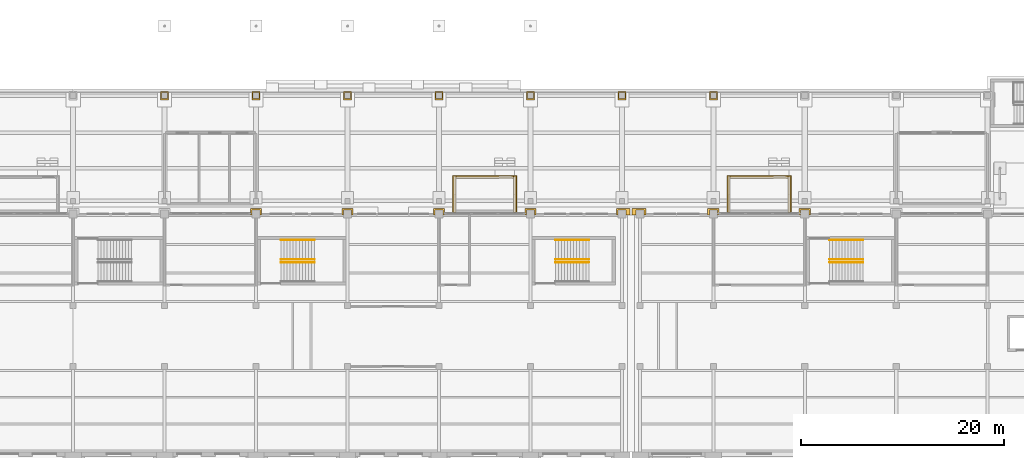
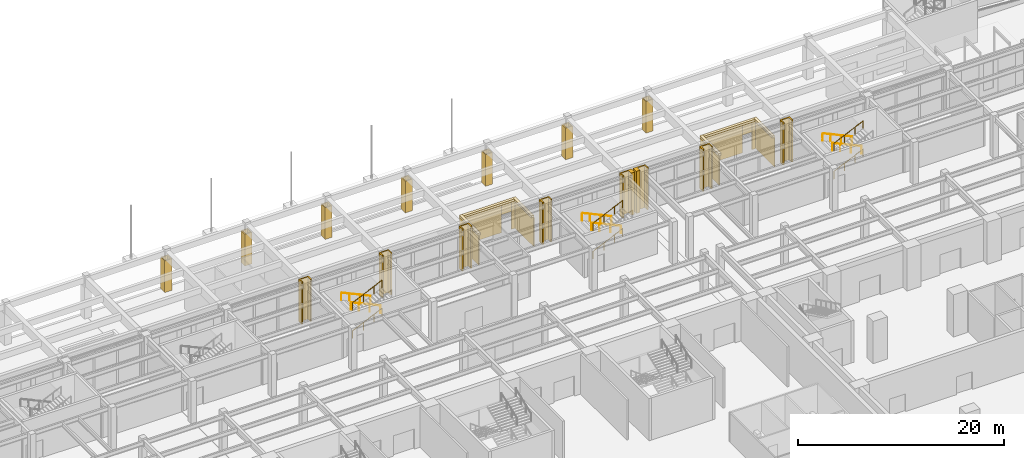
# One storey, part 72 of 77: 31 coverings, 12 railings.
"""IFC4 building model written with IfcOpenShell, lengths in metres."""

from ifc_helpers import new_model, si_unit, direction, frame, origin, origin_2d, place, context, subcontext, project, spatial, polyline, circle, outline, extrude, material, layer, layer_set, type_object, element, save


model = new_model("IFC4")

# Units and contexts
model_context = context("Model", 3, precision=1e-05, world=origin(), true_north=direction((0.0, 1.0)))
body_context = subcontext(model_context, "Body", "Model", "MODEL_VIEW")
ifc_project = project(units=[si_unit("LENGTHUNIT", "METRE"), si_unit("AREAUNIT", "SQUARE_METRE"), si_unit("VOLUMEUNIT", "CUBIC_METRE"), si_unit("PLANEANGLEUNIT", "RADIAN"), si_unit("MASSUNIT", "GRAM", prefix="KILO")], contexts=[model_context])

# Site, building, storey
site_placement = place(None, origin())
site = spatial("IfcSite", under=ifc_project, at=site_placement, CompositionType="ELEMENT")
building_placement = place(site_placement, origin())
building = spatial("IfcBuilding", under=site, at=building_placement, Name="Aravalli Gate Trade Fair Centre", CompositionType="ELEMENT")
storey_placement = place(building_placement, origin())
storey = spatial("IfcBuildingStorey", under=building, at=storey_placement, Name="L00", CompositionType="ELEMENT", Elevation=0.0)

# Coverings
ifc_material_1 = material(Name="Glazed terracotta", Category="masonry")
ifc_layer_1 = layer(ifc_material_1, 0.10009765625)
ifc_layer_set_1 = layer_set([ifc_layer_1], Name="Glazed terracotta")
covering_type_1 = type_object("IfcCoveringType", Name="Arcade pier casing 100", PredefinedType="CLADDING", material=ifc_layer_set_1)
covering_1_placement = place(storey_placement, origin())
element("IfcCovering", 1, at=covering_1_placement, inside=storey, type_object=covering_type_1, Name="Arcade pier casing 07 L00", PredefinedType="CLADDING", context=body_context, shape_type="SweptSolid", body=[
    extrude(outline(polyline([(59.60009765625, 144.25), (60.39990234375, 144.25), (60.39990234375, 145.050048828125), (59.60009765625, 145.050048828125), (59.60009765625, 144.25)]), holes=[polyline([(60.300048828125, 144.949951171875), (60.300048828125, 144.35009765625), (59.699951171875, 144.35009765625), (59.699951171875, 144.949951171875), (60.300048828125, 144.949951171875)])]), origin(), (0.0, 0.0, 1.0), 3.75),
])
covering_2_placement = place(storey_placement, origin())
element("IfcCovering", 2, at=covering_2_placement, inside=storey, type_object=covering_type_1, Name="Arcade pier casing 08 L00", PredefinedType="CLADDING", context=body_context, shape_type="SweptSolid", body=[
    extrude(outline(polyline([(68.60009765625, 144.25), (69.39990234375, 144.25), (69.39990234375, 145.050048828125), (68.60009765625, 145.050048828125), (68.60009765625, 144.25)]), holes=[polyline([(69.300048828125, 144.949951171875), (69.300048828125, 144.35009765625), (68.699951171875, 144.35009765625), (68.699951171875, 144.949951171875), (69.300048828125, 144.949951171875)])]), origin(), (0.0, 0.0, 1.0), 3.75),
])
covering_3_placement = place(storey_placement, origin())
element("IfcCovering", 3, at=covering_3_placement, inside=storey, type_object=covering_type_1, Name="Arcade pier casing 09 L00", PredefinedType="CLADDING", context=body_context, shape_type="SweptSolid", body=[
    extrude(outline(polyline([(77.60009765625, 144.25), (78.39990234375, 144.25), (78.39990234375, 145.050048828125), (77.60009765625, 145.050048828125), (77.60009765625, 144.25)]), holes=[polyline([(78.300048828125, 144.949951171875), (78.300048828125, 144.35009765625), (77.699951171875, 144.35009765625), (77.699951171875, 144.949951171875), (78.300048828125, 144.949951171875)])]), origin(), (0.0, 0.0, 1.0), 3.75),
])
covering_4_placement = place(storey_placement, origin())
element("IfcCovering", 4, at=covering_4_placement, inside=storey, type_object=covering_type_1, Name="Arcade pier casing 10 L00", PredefinedType="CLADDING", context=body_context, shape_type="SweptSolid", body=[
    extrude(outline(polyline([(86.60009765625, 144.25), (87.39990234375, 144.25), (87.39990234375, 145.050048828125), (86.60009765625, 145.050048828125), (86.60009765625, 144.25)]), holes=[polyline([(87.300048828125, 144.949951171875), (87.300048828125, 144.35009765625), (86.699951171875, 144.35009765625), (86.699951171875, 144.949951171875), (87.300048828125, 144.949951171875)])]), origin(), (0.0, 0.0, 1.0), 3.75),
])
covering_5_placement = place(storey_placement, origin())
element("IfcCovering", 5, at=covering_5_placement, inside=storey, type_object=covering_type_1, Name="Arcade pier casing 11 L00", PredefinedType="CLADDING", context=body_context, shape_type="SweptSolid", body=[
    extrude(outline(polyline([(95.60009765625, 144.25), (96.39990234375, 144.25), (96.39990234375, 145.050048828125), (95.60009765625, 145.050048828125), (95.60009765625, 144.25)]), holes=[polyline([(96.300048828125, 144.949951171875), (96.300048828125, 144.35009765625), (95.699951171875, 144.35009765625), (95.699951171875, 144.949951171875), (96.300048828125, 144.949951171875)])]), origin(), (0.0, 0.0, 1.0), 3.75),
])
covering_6_placement = place(storey_placement, origin())
element("IfcCovering", 6, at=covering_6_placement, inside=storey, type_object=covering_type_1, Name="Arcade pier casing 12 L00", PredefinedType="CLADDING", context=body_context, shape_type="SweptSolid", body=[
    extrude(outline(polyline([(104.60009765625, 144.25), (105.39990234375, 144.25), (105.39990234375, 145.050048828125), (104.60009765625, 145.050048828125), (104.60009765625, 144.25)]), holes=[polyline([(105.300048828125, 144.949951171875), (105.300048828125, 144.35009765625), (104.699951171875, 144.35009765625), (104.699951171875, 144.949951171875), (105.300048828125, 144.949951171875)])]), origin(), (0.0, 0.0, 1.0), 3.75),
])
covering_7_placement = place(storey_placement, origin())
element("IfcCovering", 7, at=covering_7_placement, inside=storey, type_object=covering_type_1, Name="Arcade pier casing 13 L00", PredefinedType="CLADDING", context=body_context, shape_type="SweptSolid", body=[
    extrude(outline(polyline([(113.60009765625, 144.25), (114.39990234375, 144.25), (114.39990234375, 145.050048828125), (113.60009765625, 145.050048828125), (113.60009765625, 144.25)]), holes=[polyline([(114.300048828125, 144.949951171875), (114.300048828125, 144.35009765625), (113.699951171875, 144.35009765625), (113.699951171875, 144.949951171875), (114.300048828125, 144.949951171875)])]), origin(), (0.0, 0.0, 1.0), 3.75),
])

# Railings
ifc_material_2 = material(Name="Steel E350", Category="steel")
railing_type = type_object("IfcRailingType", Name="Concourse stair handrail 900", PredefinedType="HANDRAIL", material=ifc_material_2)
railing_1_placement = place(storey_placement, frame((71.449951171875, 128.25, 0.138916015625)))
element("IfcRailing", 8, at=railing_1_placement, inside=storey, type_object=railing_type, Name="Handrail XC L00 flight 1i", PredefinedType="HANDRAIL", context=body_context, shape_type="SweptSolid", body=[
    extrude(circle(Radius=0.02392578125, at=origin_2d()), frame((0.0, 0.0, 0.8759765625), z_axis=(0.907499493834, 0.0, 0.420053173647), x_axis=(0.0, 1.0, 0.0)), (0.0, 0.0, 1.0), 1.322265625),
    extrude(circle(Radius=0.02392578125, at=origin_2d()), frame((1.199951171875, 0.0, 1.43115234375), z_axis=(0.907461694017, 0.0, 0.420134828231), x_axis=(0.0, 1.0, 0.0)), (0.0, 0.0, 1.0), 1.322509765625),
    extrude(circle(Radius=0.02392578125, at=origin_2d()), frame((2.400146484375, 0.0, 1.98681640625), z_axis=(0.907418235185, 0.0, 0.420228683522), x_axis=(0.0, 1.0, 0.0)), (0.0, 0.0, 1.0), 0.99169921875),
    extrude(circle(Radius=0.02099609375, at=origin_2d()), origin(), (0.0, 0.0, 1.0), 0.851806640625),
    extrude(circle(Radius=0.02099609375, at=origin_2d()), frame((1.199951171875, 0.0, 0.555419921875)), (0.0, 0.0, 1.0), 0.851806640625),
    extrude(circle(Radius=0.02099609375, at=origin_2d()), frame((2.400146484375, 0.0, 1.111083984375)), (0.0, 0.0, 1.0), 0.851806640625),
    extrude(circle(Radius=0.02099609375, at=origin_2d()), frame((3.300048828125, 0.0, 1.52783203125)), (0.0, 0.0, 1.0), 0.851806640625),
])
for number, where, name in (
    (9, (74.75, 130.449951171875, 1.8056640625), "Handrail XC L00 flight 2o"),
    (10, (74.75, 128.550048828125, 1.8056640625), "Handrail XC L00 flight 2i"),
):
    element("IfcRailing", number, at=place(storey_placement, frame(where)), inside=storey, type_object=railing_type, Name=name, PredefinedType="HANDRAIL", context=body_context, shape_type="SweptSolid", body=[
        extrude(circle(Radius=0.02392578125, at=origin_2d()), frame((0.0, 0.0, 0.8759765625), z_axis=(-0.907499493834, 0.0, 0.420053173647), x_axis=(0.0, -1.0, 0.0)), (0.0, 0.0, 1.0), 1.322265625),
        extrude(circle(Radius=0.02392578125, at=origin_2d()), frame((-1.199951171875, 0.0, 1.43115234375), z_axis=(-0.907429102623, 0.0, 0.420205216189), x_axis=(0.0, -1.0, 0.0)), (0.0, 0.0, 1.0), 1.322265625),
        extrude(circle(Radius=0.02392578125, at=origin_2d()), frame((-2.39990234375, 0.0, 1.98681640625), z_axis=(-0.907555517655, 0.0, 0.419932116387), x_axis=(0.0, -1.0, 0.0)), (0.0, 0.0, 1.0), 0.991943359375),
        extrude(circle(Radius=0.02099609375, at=origin_2d()), origin(), (0.0, 0.0, 1.0), 0.851806640625),
        extrude(circle(Radius=0.02099609375, at=origin_2d()), frame((-1.199951171875, 0.0, 0.555419921875)), (0.0, 0.0, 1.0), 0.851806640625),
        extrude(circle(Radius=0.02099609375, at=origin_2d()), frame((-2.39990234375, 0.0, 1.111083984375)), (0.0, 0.0, 1.0), 0.851806640625),
        extrude(circle(Radius=0.02099609375, at=origin_2d()), frame((-3.300048828125, 0.0, 1.527587890625)), (0.0, 0.0, 1.0), 0.851806640625),
    ])
railing_2_placement = place(storey_placement, frame((71.449951171875, 128.25, 3.47216796875)))
element("IfcRailing", 11, at=railing_2_placement, inside=storey, type_object=railing_type, Name="Handrail XC L00 flight 3i", PredefinedType="HANDRAIL", context=body_context, shape_type="SweptSolid", body=[
    extrude(circle(Radius=0.02392578125, at=origin_2d()), frame((0.0, 0.0, 0.8759765625), z_axis=(0.907429102623, 0.0, 0.420205216189), x_axis=(0.0, 1.0, 0.0)), (0.0, 0.0, 1.0), 1.322265625),
    extrude(circle(Radius=0.02392578125, at=origin_2d()), frame((1.199951171875, 0.0, 1.431640625), z_axis=(0.907532064172, 0.0, 0.419982800242), x_axis=(0.0, 1.0, 0.0)), (0.0, 0.0, 1.0), 1.322509765625),
    extrude(circle(Radius=0.02392578125, at=origin_2d()), frame((2.400146484375, 0.0, 1.98681640625), z_axis=(0.907418235185, 0.0, 0.420228683522), x_axis=(0.0, 1.0, 0.0)), (0.0, 0.0, 1.0), 0.99169921875),
    extrude(circle(Radius=0.02099609375, at=origin_2d()), origin(), (0.0, 0.0, 1.0), 0.851806640625),
    extrude(circle(Radius=0.02099609375, at=origin_2d()), frame((1.199951171875, 0.0, 0.5556640625)), (0.0, 0.0, 1.0), 0.851806640625),
    extrude(circle(Radius=0.02099609375, at=origin_2d()), frame((2.400146484375, 0.0, 1.111083984375)), (0.0, 0.0, 1.0), 0.851806640625),
    extrude(circle(Radius=0.02099609375, at=origin_2d()), frame((3.300048828125, 0.0, 1.52783203125)), (0.0, 0.0, 1.0), 0.851806640625),
])
railing_3_placement = place(storey_placement, frame((98.449951171875, 128.25, 0.138916015625)))
element("IfcRailing", 12, at=railing_3_placement, inside=storey, type_object=railing_type, Name="Handrail XD L00 flight 1i", PredefinedType="HANDRAIL", context=body_context, shape_type="SweptSolid", body=[
    extrude(circle(Radius=0.02392578125, at=origin_2d()), frame((0.0, 0.0, 0.8759765625), z_axis=(0.907499493834, 0.0, 0.420053173647), x_axis=(0.0, 1.0, 0.0)), (0.0, 0.0, 1.0), 1.322265625),
    extrude(circle(Radius=0.02392578125, at=origin_2d()), frame((1.199951171875, 0.0, 1.43115234375), z_axis=(0.907461694017, 0.0, 0.420134828231), x_axis=(0.0, 1.0, 0.0)), (0.0, 0.0, 1.0), 1.322509765625),
    extrude(circle(Radius=0.02392578125, at=origin_2d()), frame((2.400146484375, 0.0, 1.98681640625), z_axis=(0.907418235185, 0.0, 0.420228683522), x_axis=(0.0, 1.0, 0.0)), (0.0, 0.0, 1.0), 0.99169921875),
    extrude(circle(Radius=0.02099609375, at=origin_2d()), origin(), (0.0, 0.0, 1.0), 0.851806640625),
    extrude(circle(Radius=0.02099609375, at=origin_2d()), frame((1.199951171875, 0.0, 0.555419921875)), (0.0, 0.0, 1.0), 0.851806640625),
    extrude(circle(Radius=0.02099609375, at=origin_2d()), frame((2.400146484375, 0.0, 1.111083984375)), (0.0, 0.0, 1.0), 0.851806640625),
    extrude(circle(Radius=0.02099609375, at=origin_2d()), frame((3.300048828125, 0.0, 1.52783203125)), (0.0, 0.0, 1.0), 0.851806640625),
])
for number, where, name in (
    (13, (101.75, 130.449951171875, 1.8056640625), "Handrail XD L00 flight 2o"),
    (14, (101.75, 128.550048828125, 1.8056640625), "Handrail XD L00 flight 2i"),
):
    element("IfcRailing", number, at=place(storey_placement, frame(where)), inside=storey, type_object=railing_type, Name=name, PredefinedType="HANDRAIL", context=body_context, shape_type="SweptSolid", body=[
        extrude(circle(Radius=0.02392578125, at=origin_2d()), frame((0.0, 0.0, 0.8759765625), z_axis=(-0.907499493834, 0.0, 0.420053173647), x_axis=(0.0, -1.0, 0.0)), (0.0, 0.0, 1.0), 1.322265625),
        extrude(circle(Radius=0.02392578125, at=origin_2d()), frame((-1.199951171875, 0.0, 1.43115234375), z_axis=(-0.907429102623, 0.0, 0.420205216189), x_axis=(0.0, -1.0, 0.0)), (0.0, 0.0, 1.0), 1.322265625),
        extrude(circle(Radius=0.02392578125, at=origin_2d()), frame((-2.39990234375, 0.0, 1.98681640625), z_axis=(-0.907555517655, 0.0, 0.419932116387), x_axis=(0.0, -1.0, 0.0)), (0.0, 0.0, 1.0), 0.991943359375),
        extrude(circle(Radius=0.02099609375, at=origin_2d()), origin(), (0.0, 0.0, 1.0), 0.851806640625),
        extrude(circle(Radius=0.02099609375, at=origin_2d()), frame((-1.199951171875, 0.0, 0.555419921875)), (0.0, 0.0, 1.0), 0.851806640625),
        extrude(circle(Radius=0.02099609375, at=origin_2d()), frame((-2.39990234375, 0.0, 1.111083984375)), (0.0, 0.0, 1.0), 0.851806640625),
        extrude(circle(Radius=0.02099609375, at=origin_2d()), frame((-3.300048828125, 0.0, 1.527587890625)), (0.0, 0.0, 1.0), 0.851806640625),
    ])
railing_4_placement = place(storey_placement, frame((98.449951171875, 128.25, 3.47216796875)))
element("IfcRailing", 15, at=railing_4_placement, inside=storey, type_object=railing_type, Name="Handrail XD L00 flight 3i", PredefinedType="HANDRAIL", context=body_context, shape_type="SweptSolid", body=[
    extrude(circle(Radius=0.02392578125, at=origin_2d()), frame((0.0, 0.0, 0.8759765625), z_axis=(0.907429102623, 0.0, 0.420205216189), x_axis=(0.0, 1.0, 0.0)), (0.0, 0.0, 1.0), 1.322265625),
    extrude(circle(Radius=0.02392578125, at=origin_2d()), frame((1.199951171875, 0.0, 1.431640625), z_axis=(0.907532064172, 0.0, 0.419982800242), x_axis=(0.0, 1.0, 0.0)), (0.0, 0.0, 1.0), 1.322509765625),
    extrude(circle(Radius=0.02392578125, at=origin_2d()), frame((2.400146484375, 0.0, 1.98681640625), z_axis=(0.907418235185, 0.0, 0.420228683522), x_axis=(0.0, 1.0, 0.0)), (0.0, 0.0, 1.0), 0.99169921875),
    extrude(circle(Radius=0.02099609375, at=origin_2d()), origin(), (0.0, 0.0, 1.0), 0.851806640625),
    extrude(circle(Radius=0.02099609375, at=origin_2d()), frame((1.199951171875, 0.0, 0.5556640625)), (0.0, 0.0, 1.0), 0.851806640625),
    extrude(circle(Radius=0.02099609375, at=origin_2d()), frame((2.400146484375, 0.0, 1.111083984375)), (0.0, 0.0, 1.0), 0.851806640625),
    extrude(circle(Radius=0.02099609375, at=origin_2d()), frame((3.300048828125, 0.0, 1.52783203125)), (0.0, 0.0, 1.0), 0.851806640625),
])
railing_5_placement = place(storey_placement, frame((125.449951171875, 128.25, 0.138916015625)))
element("IfcRailing", 16, at=railing_5_placement, inside=storey, type_object=railing_type, Name="Handrail XE L00 flight 1i", PredefinedType="HANDRAIL", context=body_context, shape_type="SweptSolid", body=[
    extrude(circle(Radius=0.02392578125, at=origin_2d()), frame((0.0, 0.0, 0.8759765625), z_axis=(0.907499493834, 0.0, 0.420053173647), x_axis=(0.0, 1.0, 0.0)), (0.0, 0.0, 1.0), 1.322265625),
    extrude(circle(Radius=0.02392578125, at=origin_2d()), frame((1.199951171875, 0.0, 1.43115234375), z_axis=(0.907461694017, 0.0, 0.420134828231), x_axis=(0.0, 1.0, 0.0)), (0.0, 0.0, 1.0), 1.322509765625),
    extrude(circle(Radius=0.02392578125, at=origin_2d()), frame((2.400146484375, 0.0, 1.98681640625), z_axis=(0.907418235185, 0.0, 0.420228683522), x_axis=(0.0, 1.0, 0.0)), (0.0, 0.0, 1.0), 0.99169921875),
    extrude(circle(Radius=0.02099609375, at=origin_2d()), origin(), (0.0, 0.0, 1.0), 0.851806640625),
    extrude(circle(Radius=0.02099609375, at=origin_2d()), frame((1.199951171875, 0.0, 0.555419921875)), (0.0, 0.0, 1.0), 0.851806640625),
    extrude(circle(Radius=0.02099609375, at=origin_2d()), frame((2.400146484375, 0.0, 1.111083984375)), (0.0, 0.0, 1.0), 0.851806640625),
    extrude(circle(Radius=0.02099609375, at=origin_2d()), frame((3.300048828125, 0.0, 1.52783203125)), (0.0, 0.0, 1.0), 0.851806640625),
])
for number, where, name in (
    (17, (128.75, 130.449951171875, 1.8056640625), "Handrail XE L00 flight 2o"),
    (18, (128.75, 128.550048828125, 1.8056640625), "Handrail XE L00 flight 2i"),
):
    element("IfcRailing", number, at=place(storey_placement, frame(where)), inside=storey, type_object=railing_type, Name=name, PredefinedType="HANDRAIL", context=body_context, shape_type="SweptSolid", body=[
        extrude(circle(Radius=0.02392578125, at=origin_2d()), frame((0.0, 0.0, 0.8759765625), z_axis=(-0.907499493834, 0.0, 0.420053173647), x_axis=(0.0, -1.0, 0.0)), (0.0, 0.0, 1.0), 1.322265625),
        extrude(circle(Radius=0.02392578125, at=origin_2d()), frame((-1.199951171875, 0.0, 1.43115234375), z_axis=(-0.907429102623, 0.0, 0.420205216189), x_axis=(0.0, -1.0, 0.0)), (0.0, 0.0, 1.0), 1.322265625),
        extrude(circle(Radius=0.02392578125, at=origin_2d()), frame((-2.39990234375, 0.0, 1.98681640625), z_axis=(-0.907555517655, 0.0, 0.419932116387), x_axis=(0.0, -1.0, 0.0)), (0.0, 0.0, 1.0), 0.991943359375),
        extrude(circle(Radius=0.02099609375, at=origin_2d()), origin(), (0.0, 0.0, 1.0), 0.851806640625),
        extrude(circle(Radius=0.02099609375, at=origin_2d()), frame((-1.199951171875, 0.0, 0.555419921875)), (0.0, 0.0, 1.0), 0.851806640625),
        extrude(circle(Radius=0.02099609375, at=origin_2d()), frame((-2.39990234375, 0.0, 1.111083984375)), (0.0, 0.0, 1.0), 0.851806640625),
        extrude(circle(Radius=0.02099609375, at=origin_2d()), frame((-3.300048828125, 0.0, 1.527587890625)), (0.0, 0.0, 1.0), 0.851806640625),
    ])
railing_6_placement = place(storey_placement, frame((125.449951171875, 128.25, 3.47216796875)))
element("IfcRailing", 19, at=railing_6_placement, inside=storey, type_object=railing_type, Name="Handrail XE L00 flight 3i", PredefinedType="HANDRAIL", context=body_context, shape_type="SweptSolid", body=[
    extrude(circle(Radius=0.02392578125, at=origin_2d()), frame((0.0, 0.0, 0.8759765625), z_axis=(0.907429102623, 0.0, 0.420205216189), x_axis=(0.0, 1.0, 0.0)), (0.0, 0.0, 1.0), 1.322265625),
    extrude(circle(Radius=0.02392578125, at=origin_2d()), frame((1.199951171875, 0.0, 1.431640625), z_axis=(0.907532064172, 0.0, 0.419982800242), x_axis=(0.0, 1.0, 0.0)), (0.0, 0.0, 1.0), 1.322509765625),
    extrude(circle(Radius=0.02392578125, at=origin_2d()), frame((2.400146484375, 0.0, 1.98681640625), z_axis=(0.907418235185, 0.0, 0.420228683522), x_axis=(0.0, 1.0, 0.0)), (0.0, 0.0, 1.0), 0.99169921875),
    extrude(circle(Radius=0.02099609375, at=origin_2d()), origin(), (0.0, 0.0, 1.0), 0.851806640625),
    extrude(circle(Radius=0.02099609375, at=origin_2d()), frame((1.199951171875, 0.0, 0.5556640625)), (0.0, 0.0, 1.0), 0.851806640625),
    extrude(circle(Radius=0.02099609375, at=origin_2d()), frame((2.400146484375, 0.0, 1.111083984375)), (0.0, 0.0, 1.0), 0.851806640625),
    extrude(circle(Radius=0.02099609375, at=origin_2d()), frame((3.300048828125, 0.0, 1.52783203125)), (0.0, 0.0, 1.0), 0.851806640625),
])

# Coverings
ifc_material_3 = material(Name="Terracotta rainscreen", Category="masonry")
ifc_layer_2 = layer(ifc_material_3, 0.199951171875)
ifc_layer_set_2 = layer_set([ifc_layer_2], Name="Terracotta rainscreen")
covering_type_2 = type_object("IfcCoveringType", Name="Pavilion cornice course 250", PredefinedType="CLADDING", material=ifc_layer_set_2)
covering_8_placement = place(storey_placement, frame((0.0, 0.0, 3.39990234375)))
element("IfcCovering", 20, at=covering_8_placement, inside=storey, type_object=covering_type_2, Name="Basement stair N3 cornice west", PredefinedType="CLADDING", context=body_context, shape_type="SweptSolid", body=[
    extrude(outline(polyline([(94.64990234375, 133.179931640625), (94.35009765625, 133.179931640625), (94.35009765625, 136.780029296875), (94.64990234375, 136.780029296875), (94.64990234375, 133.179931640625)])), origin(), (0.0, 0.0, 1.0), 0.25),
])
covering_9_placement = place(storey_placement, frame((0.0, 0.0, 3.39990234375)))
element("IfcCovering", 21, at=covering_9_placement, inside=storey, type_object=covering_type_2, Name="Basement stair N3 cornice east", PredefinedType="CLADDING", context=body_context, shape_type="SweptSolid", body=[
    extrude(outline(polyline([(88.64990234375, 133.179931640625), (88.35009765625, 133.179931640625), (88.35009765625, 136.780029296875), (88.64990234375, 136.780029296875), (88.64990234375, 133.179931640625)])), origin(), (0.0, 0.0, 1.0), 0.25),
])
covering_10_placement = place(storey_placement, frame((0.0, 0.0, 3.39990234375)))
element("IfcCovering", 22, at=covering_10_placement, inside=storey, type_object=covering_type_2, Name="Basement stair N3 cornice north", PredefinedType="CLADDING", context=body_context, shape_type="SweptSolid", body=[
    extrude(outline(polyline([(94.35009765625, 136.47998046875), (88.64990234375, 136.47998046875), (88.64990234375, 136.780029296875), (94.35009765625, 136.780029296875), (94.35009765625, 136.47998046875)])), origin(), (0.0, 0.0, 1.0), 0.25),
])
covering_11_placement = place(storey_placement, frame((0.0, 0.0, 3.39990234375)))
element("IfcCovering", 23, at=covering_11_placement, inside=storey, type_object=covering_type_2, Name="Basement stair N4 cornice west", PredefinedType="CLADDING", context=body_context, shape_type="SweptSolid", body=[
    extrude(outline(polyline([(121.64990234375, 133.179931640625), (121.35009765625, 133.179931640625), (121.35009765625, 136.780029296875), (121.64990234375, 136.780029296875), (121.64990234375, 133.179931640625)])), origin(), (0.0, 0.0, 1.0), 0.25),
])
covering_12_placement = place(storey_placement, frame((0.0, 0.0, 3.39990234375)))
element("IfcCovering", 24, at=covering_12_placement, inside=storey, type_object=covering_type_2, Name="Basement stair N4 cornice east", PredefinedType="CLADDING", context=body_context, shape_type="SweptSolid", body=[
    extrude(outline(polyline([(115.64990234375, 133.179931640625), (115.35009765625, 133.179931640625), (115.35009765625, 136.780029296875), (115.64990234375, 136.780029296875), (115.64990234375, 133.179931640625)])), origin(), (0.0, 0.0, 1.0), 0.25),
])
covering_13_placement = place(storey_placement, frame((0.0, 0.0, 3.39990234375)))
element("IfcCovering", 25, at=covering_13_placement, inside=storey, type_object=covering_type_2, Name="Basement stair N4 cornice north", PredefinedType="CLADDING", context=body_context, shape_type="SweptSolid", body=[
    extrude(outline(polyline([(121.35009765625, 136.47998046875), (115.64990234375, 136.47998046875), (115.64990234375, 136.780029296875), (121.35009765625, 136.780029296875), (121.35009765625, 136.47998046875)])), origin(), (0.0, 0.0, 1.0), 0.25),
])
ifc_layer_3 = layer(ifc_material_3, 0.10009765625)
ifc_layer_set_3 = layer_set([ifc_layer_3], Name="Terracotta rainscreen")
covering_type_3 = type_object("IfcCoveringType", Name="Pavilion rainscreen cladding 100", PredefinedType="CLADDING", material=ifc_layer_set_3)
covering_14_placement = place(storey_placement, origin())
element("IfcCovering", 26, at=covering_14_placement, inside=storey, type_object=covering_type_3, Name="Basement stair N3 cladding left of the door", PredefinedType="CLADDING", context=body_context, shape_type="SweptSolid", body=[
    extrude(outline(polyline([(94.550048828125, 136.679931640625), (94.14990234375, 136.679931640625), (94.14990234375, 136.780029296875), (94.550048828125, 136.780029296875), (94.550048828125, 136.679931640625)])), origin(), (0.0, 0.0, 1.0), 3.39990234375),
])
covering_15_placement = place(storey_placement, origin())
element("IfcCovering", 27, at=covering_15_placement, inside=storey, type_object=covering_type_3, Name="Basement stair N3 cladding right of the door", PredefinedType="CLADDING", context=body_context, shape_type="SweptSolid", body=[
    extrude(outline(polyline([(93.050048828125, 136.679931640625), (88.449951171875, 136.679931640625), (88.449951171875, 136.780029296875), (93.050048828125, 136.780029296875), (93.050048828125, 136.679931640625)])), origin(), (0.0, 0.0, 1.0), 3.39990234375),
])
covering_16_placement = place(storey_placement, frame((0.0, 0.0, 2.10009765625)))
element("IfcCovering", 28, at=covering_16_placement, inside=storey, type_object=covering_type_3, Name="Basement stair N3 cladding over the door", PredefinedType="CLADDING", context=body_context, shape_type="SweptSolid", body=[
    extrude(outline(polyline([(94.14990234375, 136.679931640625), (93.050048828125, 136.679931640625), (93.050048828125, 136.780029296875), (94.14990234375, 136.780029296875), (94.14990234375, 136.679931640625)])), origin(), (0.0, 0.0, 1.0), 1.2998046875),
])
covering_17_placement = place(storey_placement, origin())
element("IfcCovering", 29, at=covering_17_placement, inside=storey, type_object=covering_type_3, Name="Basement stair N3 cladding west end", PredefinedType="CLADDING", context=body_context, shape_type="SweptSolid", body=[
    extrude(outline(polyline([(94.64990234375, 133.05908203125), (94.550048828125, 133.05908203125), (94.550048828125, 136.780029296875), (94.64990234375, 136.780029296875), (94.64990234375, 133.05908203125)])), origin(), (0.0, 0.0, 1.0), 3.39990234375),
])
covering_18_placement = place(storey_placement, origin())
element("IfcCovering", 30, at=covering_18_placement, inside=storey, type_object=covering_type_3, Name="Basement stair N3 cladding east end", PredefinedType="CLADDING", context=body_context, shape_type="SweptSolid", body=[
    extrude(outline(polyline([(88.449951171875, 133.05908203125), (88.35009765625, 133.05908203125), (88.35009765625, 136.780029296875), (88.449951171875, 136.780029296875), (88.449951171875, 133.05908203125)])), origin(), (0.0, 0.0, 1.0), 3.39990234375),
])
covering_19_placement = place(storey_placement, origin())
element("IfcCovering", 31, at=covering_19_placement, inside=storey, type_object=covering_type_3, Name="Basement stair N4 cladding left of the door", PredefinedType="CLADDING", context=body_context, shape_type="SweptSolid", body=[
    extrude(outline(polyline([(121.550048828125, 136.679931640625), (121.14990234375, 136.679931640625), (121.14990234375, 136.780029296875), (121.550048828125, 136.780029296875), (121.550048828125, 136.679931640625)])), origin(), (0.0, 0.0, 1.0), 3.39990234375),
])
covering_20_placement = place(storey_placement, origin())
element("IfcCovering", 32, at=covering_20_placement, inside=storey, type_object=covering_type_3, Name="Basement stair N4 cladding right of the door", PredefinedType="CLADDING", context=body_context, shape_type="SweptSolid", body=[
    extrude(outline(polyline([(120.050048828125, 136.679931640625), (115.449951171875, 136.679931640625), (115.449951171875, 136.780029296875), (120.050048828125, 136.780029296875), (120.050048828125, 136.679931640625)])), origin(), (0.0, 0.0, 1.0), 3.39990234375),
])
covering_21_placement = place(storey_placement, frame((0.0, 0.0, 2.10009765625)))
element("IfcCovering", 33, at=covering_21_placement, inside=storey, type_object=covering_type_3, Name="Basement stair N4 cladding over the door", PredefinedType="CLADDING", context=body_context, shape_type="SweptSolid", body=[
    extrude(outline(polyline([(121.14990234375, 136.679931640625), (120.050048828125, 136.679931640625), (120.050048828125, 136.780029296875), (121.14990234375, 136.780029296875), (121.14990234375, 136.679931640625)])), origin(), (0.0, 0.0, 1.0), 1.2998046875),
])
covering_22_placement = place(storey_placement, origin())
element("IfcCovering", 34, at=covering_22_placement, inside=storey, type_object=covering_type_3, Name="Basement stair N4 cladding west end", PredefinedType="CLADDING", context=body_context, shape_type="SweptSolid", body=[
    extrude(outline(polyline([(121.64990234375, 133.05908203125), (121.550048828125, 133.05908203125), (121.550048828125, 136.780029296875), (121.64990234375, 136.780029296875), (121.64990234375, 133.05908203125)])), origin(), (0.0, 0.0, 1.0), 3.39990234375),
])
covering_23_placement = place(storey_placement, origin())
element("IfcCovering", 35, at=covering_23_placement, inside=storey, type_object=covering_type_3, Name="Basement stair N4 cladding east end", PredefinedType="CLADDING", context=body_context, shape_type="SweptSolid", body=[
    extrude(outline(polyline([(115.449951171875, 133.05908203125), (115.35009765625, 133.05908203125), (115.35009765625, 136.780029296875), (115.449951171875, 136.780029296875), (115.449951171875, 133.05908203125)])), origin(), (0.0, 0.0, 1.0), 3.39990234375),
])
ifc_layer_4 = layer(ifc_material_1, 0.14990234375)
ifc_layer_set_4 = layer_set([ifc_layer_4], Name="Glazed terracotta")
covering_type_4 = type_object("IfcCoveringType", Name="Terracotta pier casing 150", PredefinedType="CLADDING", material=ifc_layer_set_4)
covering_24_placement = place(storey_placement, origin())
element("IfcCovering", 36, at=covering_24_placement, inside=storey, type_object=covering_type_4, Name="Pier casing K08 L00", PredefinedType="CLADDING", context=body_context, shape_type="SweptSolid", body=[
    extrude(outline(polyline([(68.449951171875, 132.919921875), (68.60009765625, 132.919921875), (68.60009765625, 133.39990234375), (69.39990234375, 133.39990234375), (69.39990234375, 132.919921875), (69.550048828125, 132.919921875), (69.550048828125, 133.550048828125), (68.449951171875, 133.550048828125), (68.449951171875, 132.919921875)])), origin(), (0.0, 0.0, 1.0), 5.0),
])
covering_25_placement = place(storey_placement, origin())
element("IfcCovering", 37, at=covering_25_placement, inside=storey, type_object=covering_type_4, Name="Pier casing K09 L00", PredefinedType="CLADDING", context=body_context, shape_type="SweptSolid", body=[
    extrude(outline(polyline([(77.449951171875, 132.919921875), (77.60009765625, 132.919921875), (77.60009765625, 133.39990234375), (78.39990234375, 133.39990234375), (78.39990234375, 132.919921875), (78.550048828125, 132.919921875), (78.550048828125, 133.550048828125), (77.449951171875, 133.550048828125), (77.449951171875, 132.919921875)])), origin(), (0.0, 0.0, 1.0), 5.0),
])
covering_26_placement = place(storey_placement, origin())
element("IfcCovering", 38, at=covering_26_placement, inside=storey, type_object=covering_type_4, Name="Pier casing K10 L00", PredefinedType="CLADDING", context=body_context, shape_type="SweptSolid", body=[
    extrude(outline(polyline([(86.449951171875, 132.919921875), (86.60009765625, 132.919921875), (86.60009765625, 133.39990234375), (87.39990234375, 133.39990234375), (87.39990234375, 132.919921875), (87.550048828125, 132.919921875), (87.550048828125, 133.550048828125), (86.449951171875, 133.550048828125), (86.449951171875, 132.919921875)])), origin(), (0.0, 0.0, 1.0), 5.0),
])
covering_27_placement = place(storey_placement, origin())
element("IfcCovering", 39, at=covering_27_placement, inside=storey, type_object=covering_type_4, Name="Pier casing K11 L00", PredefinedType="CLADDING", context=body_context, shape_type="SweptSolid", body=[
    extrude(outline(polyline([(95.449951171875, 132.919921875), (95.60009765625, 132.919921875), (95.60009765625, 133.39990234375), (96.39990234375, 133.39990234375), (96.39990234375, 132.919921875), (96.550048828125, 132.919921875), (96.550048828125, 133.550048828125), (95.449951171875, 133.550048828125), (95.449951171875, 132.919921875)])), origin(), (0.0, 0.0, 1.0), 5.0),
])
covering_28_placement = place(storey_placement, origin())
element("IfcCovering", 40, at=covering_28_placement, inside=storey, type_object=covering_type_4, Name="Pier casing K12 L00", PredefinedType="CLADDING", context=body_context, shape_type="SweptSolid", body=[
    extrude(outline(polyline([(104.449951171875, 132.919921875), (104.60009765625, 132.919921875), (104.60009765625, 133.39990234375), (105.39990234375, 133.39990234375), (105.39990234375, 132.919921875), (105.800048828125, 132.919921875), (105.800048828125, 133.550048828125), (104.449951171875, 133.550048828125), (104.449951171875, 132.919921875)])), origin(), (0.0, 0.0, 1.0), 5.0),
])
covering_29_placement = place(storey_placement, origin())
element("IfcCovering", 41, at=covering_29_placement, inside=storey, type_object=covering_type_4, Name="Pier casing K12A L00", PredefinedType="CLADDING", context=body_context, shape_type="SweptSolid", body=[
    extrude(outline(polyline([(106.0, 132.919921875), (106.39990234375, 132.919921875), (106.39990234375, 133.39990234375), (107.199951171875, 133.39990234375), (107.199951171875, 132.919921875), (107.35009765625, 132.919921875), (107.35009765625, 133.550048828125), (106.0, 133.550048828125), (106.0, 132.919921875)])), origin(), (0.0, 0.0, 1.0), 5.0),
])
covering_30_placement = place(storey_placement, origin())
element("IfcCovering", 42, at=covering_30_placement, inside=storey, type_object=covering_type_4, Name="Pier casing K13 L00", PredefinedType="CLADDING", context=body_context, shape_type="SweptSolid", body=[
    extrude(outline(polyline([(113.449951171875, 132.919921875), (113.60009765625, 132.919921875), (113.60009765625, 133.39990234375), (114.39990234375, 133.39990234375), (114.39990234375, 132.919921875), (114.550048828125, 132.919921875), (114.550048828125, 133.550048828125), (113.449951171875, 133.550048828125), (113.449951171875, 132.919921875)])), origin(), (0.0, 0.0, 1.0), 5.0),
])
covering_31_placement = place(storey_placement, origin())
element("IfcCovering", 43, at=covering_31_placement, inside=storey, type_object=covering_type_4, Name="Pier casing K14 L00", PredefinedType="CLADDING", context=body_context, shape_type="SweptSolid", body=[
    extrude(outline(polyline([(122.449951171875, 132.919921875), (122.60009765625, 132.919921875), (122.60009765625, 133.39990234375), (123.39990234375, 133.39990234375), (123.39990234375, 132.919921875), (123.550048828125, 132.919921875), (123.550048828125, 133.550048828125), (122.449951171875, 133.550048828125), (122.449951171875, 132.919921875)])), origin(), (0.0, 0.0, 1.0), 5.0),
])

save(model, "model.ifc")
